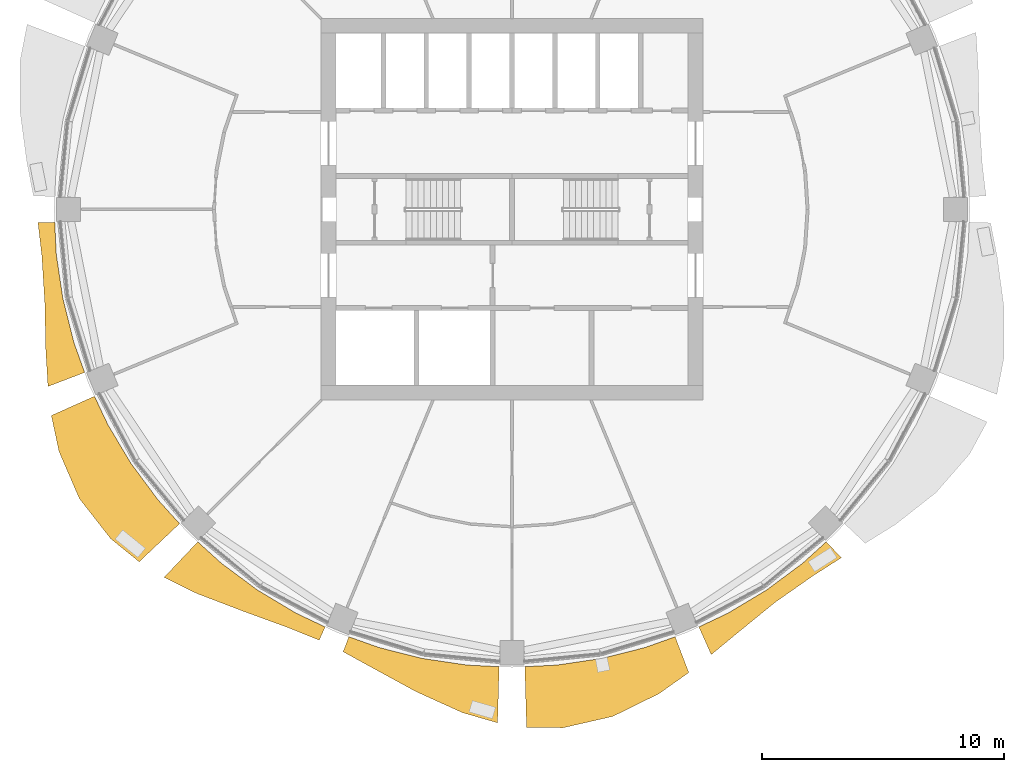
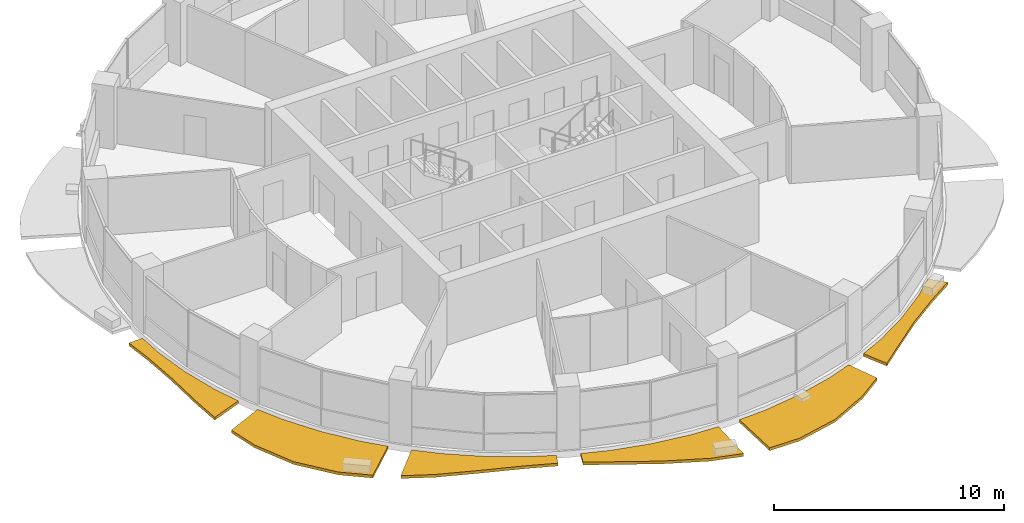
# One storey, part 11 of 14: 6 shading devices.
"""IFC4 building model written with IfcOpenShell, lengths in metres."""

from ifc_helpers import new_model, si_unit, direction, frame, origin, place, context, subcontext, project, spatial, polyline, outline, extrude, material, type_object, element, save


model = new_model("IFC4")

# Units and contexts
model_context = context("Model", 3, precision=1e-05, world=origin(), true_north=direction((0.0, 1.0)))
body_context = subcontext(model_context, "Body", "Model", "MODEL_VIEW")
ifc_project = project(units=[si_unit("LENGTHUNIT", "METRE"), si_unit("AREAUNIT", "SQUARE_METRE"), si_unit("VOLUMEUNIT", "CUBIC_METRE"), si_unit("PLANEANGLEUNIT", "RADIAN"), si_unit("MASSUNIT", "GRAM", prefix="KILO")], contexts=[model_context])

# Site, building, storey
site_placement = place(None, origin())
site = spatial("IfcSite", under=ifc_project, at=site_placement, CompositionType="ELEMENT")
building_placement = place(site_placement, origin())
building = spatial("IfcBuilding", under=site, at=building_placement, Name="Polderwave Tower", CompositionType="ELEMENT")
storey_placement = place(building_placement, frame((0.0, 0.0, 141.050048828125)))
storey = spatial("IfcBuildingStorey", under=building, at=storey_placement, Name="L37", CompositionType="ELEMENT", Elevation=141.050048828125)

# Shading devices
ifc_material = material(Name="Terracotta", Category="masonry")
shading_device_type = type_object("IfcShadingDeviceType", Name="Terracotta sunshade band", PredefinedType="USERDEFINED", material=ifc_material)
shading_device_1_placement = place(storey_placement, frame((0.0, 0.0, -0.35009765625)))
element("IfcShadingDevice", 1, at=shading_device_1_placement, inside=storey, type_object=shading_device_type, Name="Sunshade band L37 9", ObjectType="SUNSHADE", PredefinedType="USERDEFINED", context=body_context, shape_type="SweptSolid", body=[
    extrude(outline(polyline([(-18.8740234375, -0.5302734375), (-18.80908203125, -1.8525390625), (-18.536865234375, -3.687255859375), (-18.086181640625, -5.486328125), (-17.64013671875, -6.73291015625), (-19.152099609375, -7.31005859375), (-19.24267578125, -5.837158203125), (-19.285400390625, -3.836181640625), (-19.406005859375, -1.911376953125), (-19.564697265625, -0.549560546875), (-18.8740234375, -0.5302734375)])), origin(), (0.0, 0.0, 1.0), 0.150146484375),
])
shading_device_2_placement = place(storey_placement, frame((0.0, 0.0, -0.35009765625)))
element("IfcShadingDevice", 2, at=shading_device_2_placement, inside=storey, type_object=shading_device_type, Name="Sunshade band L37 10", ObjectType="SUNSHADE", PredefinedType="USERDEFINED", context=body_context, shape_type="SweptSolid", body=[
    extrude(outline(polyline([(-17.234375, -7.712646484375), (-16.668212890625, -8.909423828125), (-15.71484375, -10.500244140625), (-14.60986328125, -11.989990234375), (-13.720703125, -12.970947265625), (-15.387939453125, -14.547119140625), (-16.563720703125, -13.593505859375), (-17.85888671875, -11.93310546875), (-18.697021484375, -9.99365234375), (-19.01220703125, -8.50830078125), (-17.234375, -7.712646484375)])), origin(), (0.0, 0.0, 1.0), 0.150146484375),
])
shading_device_3_placement = place(storey_placement, frame((0.0, 0.0, -0.35009765625)))
element("IfcShadingDevice", 3, at=shading_device_3_placement, inside=storey, type_object=shading_device_type, Name="Sunshade band L37 11", ObjectType="SUNSHADE", PredefinedType="USERDEFINED", context=body_context, shape_type="SweptSolid", body=[
    extrude(outline(polyline([(-12.970947265625, -13.720703125), (-11.989990234375, -14.60986328125), (-10.500244140625, -15.71484375), (-8.909423828125, -16.668212890625), (-7.712646484375, -17.234375), (-7.957763671875, -17.7822265625), (-9.22998046875, -17.267822265625), (-11.0849609375, -16.58984375), (-13.01123046875, -15.85400390625), (-14.356689453125, -15.1865234375), (-12.970947265625, -13.720703125)])), origin(), (0.0, 0.0, 1.0), 0.150146484375),
])
shading_device_4_placement = place(storey_placement, frame((0.0, 0.0, -0.35009765625)))
element("IfcShadingDevice", 4, at=shading_device_4_placement, inside=storey, type_object=shading_device_type, Name="Sunshade band L37 12", ObjectType="SUNSHADE", PredefinedType="USERDEFINED", context=body_context, shape_type="SweptSolid", body=[
    extrude(outline(polyline([(-6.73291015625, -17.64013671875), (-5.486328125, -18.086181640625), (-3.687255859375, -18.536865234375), (-1.8525390625, -18.80908203125), (-0.5302734375, -18.8740234375), (-0.59521484375, -21.19287109375), (-2.0458984375, -20.773193359375), (-3.95947265625, -19.905517578125), (-5.74365234375, -18.93408203125), (-6.96923828125, -18.259033203125), (-6.73291015625, -17.64013671875)])), origin(), (0.0, 0.0, 1.0), 0.150146484375),
])
shading_device_5_placement = place(storey_placement, frame((0.0, 0.0, -0.35009765625)))
element("IfcShadingDevice", 5, at=shading_device_5_placement, inside=storey, type_object=shading_device_type, Name="Sunshade band L37 13", ObjectType="SUNSHADE", PredefinedType="USERDEFINED", context=body_context, shape_type="SweptSolid", body=[
    extrude(outline(polyline([(0.5302734375, -18.8740234375), (1.8525390625, -18.80908203125), (3.687255859375, -18.536865234375), (5.486328125, -18.086181640625), (6.73291015625, -17.64013671875), (7.297119140625, -19.117919921875), (6.064453125, -19.991943359375), (4.16259765625, -20.9267578125), (2.107421875, -21.396484375), (0.6005859375, -21.3818359375), (0.5302734375, -18.8740234375)])), origin(), (0.0, 0.0, 1.0), 0.150146484375),
])
shading_device_6_placement = place(storey_placement, frame((0.0, 0.0, -0.35009765625)))
element("IfcShadingDevice", 6, at=shading_device_6_placement, inside=storey, type_object=shading_device_type, Name="Sunshade band L37 14", ObjectType="SUNSHADE", PredefinedType="USERDEFINED", context=body_context, shape_type="SweptSolid", body=[
    extrude(outline(polyline([(7.712646484375, -17.234375), (8.909423828125, -16.668212890625), (10.500244140625, -15.71484375), (11.989990234375, -14.60986328125), (12.970947265625, -13.720703125), (13.593505859375, -14.379150390625), (12.416748046875, -15.129638671875), (10.845458984375, -16.231201171875), (9.33349609375, -17.4619140625), (8.22412109375, -18.377197265625), (7.712646484375, -17.234375)])), origin(), (0.0, 0.0, 1.0), 0.150146484375),
])

save(model, "model.ifc")
